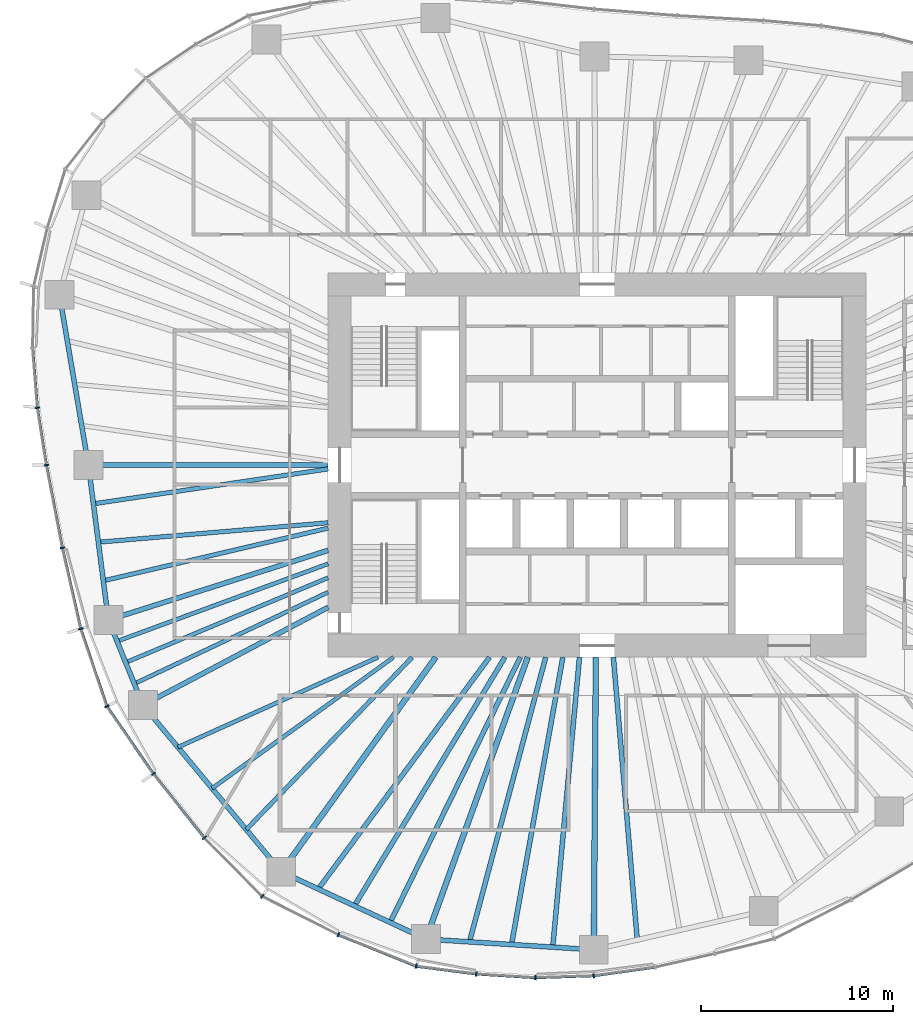
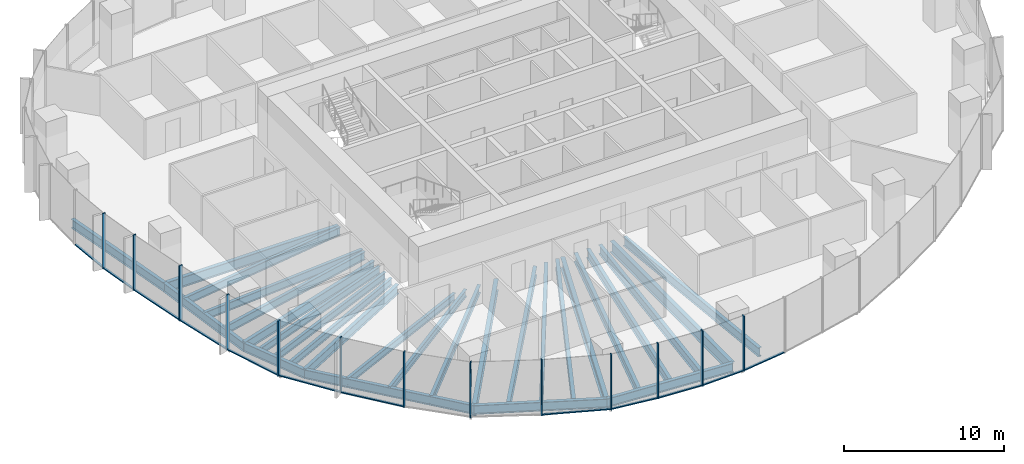
# One storey, part 2 of 18: 28 beams, 25 members, 7 elements without a shape of their own.
"""IFC4 building model written with IfcOpenShell, lengths in metres."""

from ifc_helpers import new_model, si_unit, direction, frame, origin, origin_2d, place, context, subcontext, project, spatial, rectangle, i_section, extrude, material, material_profile, profile_set, type_object, element, aggregate, save


model = new_model("IFC4")

# Units and contexts
model_context = context("Model", 3, precision=1e-05, world=origin(), true_north=direction((0.0, 1.0)))
body_context = subcontext(model_context, "Body", "Model", "MODEL_VIEW")
ifc_project = project(units=[si_unit("LENGTHUNIT", "METRE"), si_unit("AREAUNIT", "SQUARE_METRE"), si_unit("VOLUMEUNIT", "CUBIC_METRE"), si_unit("PLANEANGLEUNIT", "RADIAN"), si_unit("MASSUNIT", "GRAM", prefix="KILO")], contexts=[model_context])

# Site, building, storey
site_placement = place(None, origin())
site = spatial("IfcSite", under=ifc_project, at=site_placement, CompositionType="ELEMENT")
building_placement = place(site_placement, origin())
building = spatial("IfcBuilding", under=site, at=building_placement, Name="Ghaith Harvest Tower", CompositionType="ELEMENT")
storey_placement = place(building_placement, frame((0.0, 0.0, 113.39990234375)))
storey = spatial("IfcBuildingStorey", under=building, at=storey_placement, Name="L23", CompositionType="ELEMENT", Elevation=113.39990234375)

# Curtain wall, member
ifc_material_1 = material(Name="Black anodised aluminium and fritted glass", Category="aluminium")
curtain_wall_type = type_object("IfcCurtainWallType", Name="CW-L CURTAIN WALL", PredefinedType="NOTDEFINED", material=ifc_material_1)
curtain_wall_1_placement = place(storey_placement, origin())
curtain_wall_1 = element("IfcCurtainWall", 1, at=curtain_wall_1_placement, inside=storey, type_object=curtain_wall_type, Name="Curtain wall CW-L bay 10 L23", PredefinedType="NOTDEFINED")
ifc_material_2 = material(Name="Aluminium, black anodised", Category="aluminium")
ifc_material_profile_1 = material_profile(ifc_material_2, rectangle(XDim=0.080078125, YDim=0.239990234375, at=origin_2d()), Name="CW-L MULLION 80x240")
ifc_profile_set_1 = profile_set([ifc_material_profile_1], Name="Aluminium, black anodised")
member_type_1 = type_object("IfcMemberType", Name="CW-L MULLION 80x240", PredefinedType="MULLION", material=ifc_profile_set_1)
member_1_placement = place(storey_placement, frame((-29.131103515625, 2.990478515625, 0.0), z_axis=(0.0, 0.0, 1.0), x_axis=(0.116763791346, -0.993159713757, 0.0)))
member_1 = element("IfcMember", 2, at=member_1_placement, type_object=member_type_1, Name="CW-L mullion 3 bay 10 L23", PredefinedType="MULLION", context=body_context, shape_type="SweptSolid", body=[
    extrude(rectangle(XDim=0.080078125, YDim=0.239990234375, at=origin_2d()), origin(), (0.0, 0.0, 1.0), 4.2001953125),
])

# Curtain wall, members
curtain_wall_2_placement = place(storey_placement, origin())
curtain_wall_2 = element("IfcCurtainWall", 3, at=curtain_wall_2_placement, inside=storey, type_object=curtain_wall_type, Name="Curtain wall CW-L bay 11 L23", PredefinedType="NOTDEFINED")
member_2_placement = place(storey_placement, frame((-28.6611328125, 0.0, 0.0), z_axis=(0.0, 0.0, 1.0), x_axis=(0.175827209372, -0.984421044292, 0.0)))
member_2 = element("IfcMember", 4, at=member_2_placement, type_object=member_type_1, Name="CW-L mullion 1 bay 11 L23", PredefinedType="MULLION", context=body_context, shape_type="SweptSolid", body=[
    extrude(rectangle(XDim=0.080078125, YDim=0.239990234375, at=origin_2d()), origin(), (0.0, 0.0, 1.0), 4.2001953125),
])
member_3_placement = place(storey_placement, frame((-27.828125, -4.30419921875, 0.0), z_axis=(0.0, 0.0, 1.0), x_axis=(0.205176300018, -0.978725030798, 0.0)))
member_3 = element("IfcMember", 5, at=member_3_placement, type_object=member_type_1, Name="CW-L mullion 2 bay 11 L23", PredefinedType="MULLION", context=body_context, shape_type="SweptSolid", body=[
    extrude(rectangle(XDim=0.080078125, YDim=0.239990234375, at=origin_2d()), origin(), (0.0, 0.0, 1.0), 4.2001953125),
])

curtain_wall_3_placement = place(storey_placement, origin())
curtain_wall_3 = element("IfcCurtainWall", 6, at=curtain_wall_3_placement, inside=storey, type_object=curtain_wall_type, Name="Curtain wall CW-L bay 12 L23", PredefinedType="NOTDEFINED")
member_4_placement = place(storey_placement, frame((-26.875732421875, -8.517333984375, 0.0), z_axis=(0.0, 0.0, 1.0), x_axis=(0.270018818005, -0.962855045125, 0.0)))
member_4 = element("IfcMember", 7, at=member_4_placement, type_object=member_type_1, Name="CW-L mullion 1 bay 12 L23", PredefinedType="MULLION", context=body_context, shape_type="SweptSolid", body=[
    extrude(rectangle(XDim=0.080078125, YDim=0.239990234375, at=origin_2d()), origin(), (0.0, 0.0, 1.0), 4.2001953125),
])
member_5_placement = place(storey_placement, frame((-25.513427734375, -12.55810546875, 0.0), z_axis=(0.0, 0.0, 1.0), x_axis=(0.448267068681, -0.893899678452, 0.0)))
member_5 = element("IfcMember", 8, at=member_5_placement, type_object=member_type_1, Name="CW-L mullion 2 bay 12 L23", PredefinedType="MULLION", context=body_context, shape_type="SweptSolid", body=[
    extrude(rectangle(XDim=0.080078125, YDim=0.239990234375, at=origin_2d()), origin(), (0.0, 0.0, 1.0), 4.2001953125),
])

curtain_wall_4_placement = place(storey_placement, origin())
curtain_wall_4 = element("IfcCurtainWall", 9, at=curtain_wall_4_placement, inside=storey, type_object=curtain_wall_type, Name="Curtain wall CW-L bay 13 L23", PredefinedType="NOTDEFINED")
member_6_placement = place(storey_placement, frame((-23.090087890625, -16.066162109375, 0.0), z_axis=(0.0, 0.0, 1.0), x_axis=(0.595740202191, -0.803177198066, 0.0)))
member_6 = element("IfcMember", 10, at=member_6_placement, type_object=member_type_1, Name="CW-L mullion 1 bay 13 L23", PredefinedType="MULLION", context=body_context, shape_type="SweptSolid", body=[
    extrude(rectangle(XDim=0.080078125, YDim=0.239990234375, at=origin_2d()), origin(), (0.0, 0.0, 1.0), 4.2001953125),
])
member_7_placement = place(storey_placement, frame((-20.441162109375, -19.396728515625, 0.0), z_axis=(0.0, 0.0, 1.0), x_axis=(0.663764675537, -0.747941478666, 0.0)))
member_7 = element("IfcMember", 11, at=member_7_placement, type_object=member_type_1, Name="CW-L mullion 2 bay 13 L23", PredefinedType="MULLION", context=body_context, shape_type="SweptSolid", body=[
    extrude(rectangle(XDim=0.080078125, YDim=0.239990234375, at=origin_2d()), origin(), (0.0, 0.0, 1.0), 4.2001953125),
])

curtain_wall_5_placement = place(storey_placement, origin())
curtain_wall_5 = element("IfcCurtainWall", 12, at=curtain_wall_5_placement, inside=storey, type_object=curtain_wall_type, Name="Curtain wall CW-L bay 14 L23", PredefinedType="NOTDEFINED")
member_8_placement = place(storey_placement, frame((-17.430419921875, -22.443603515625, 0.0), z_axis=(0.0, 0.0, 1.0), x_axis=(0.810339399222, -0.585960799089, 0.0)))
member_8 = element("IfcMember", 13, at=member_8_placement, type_object=member_type_1, Name="CW-L mullion 1 bay 14 L23", PredefinedType="MULLION", context=body_context, shape_type="SweptSolid", body=[
    extrude(rectangle(XDim=0.080078125, YDim=0.239990234375, at=origin_2d()), origin(), (0.0, 0.0, 1.0), 4.2001953125),
])
member_9_placement = place(storey_placement, frame((-13.463134765625, -24.4423828125, 0.0), z_axis=(0.0, 0.0, 1.0), x_axis=(0.910648017946, -0.413182995066, 0.0)))
member_9 = element("IfcMember", 14, at=member_9_placement, type_object=member_type_1, Name="CW-L mullion 2 bay 14 L23", PredefinedType="MULLION", context=body_context, shape_type="SweptSolid", body=[
    extrude(rectangle(XDim=0.080078125, YDim=0.239990234375, at=origin_2d()), origin(), (0.0, 0.0, 1.0), 4.2001953125),
])

curtain_wall_6_placement = place(storey_placement, origin())
curtain_wall_6 = element("IfcCurtainWall", 15, at=curtain_wall_6_placement, inside=storey, type_object=curtain_wall_type, Name="Curtain wall CW-L bay 15 L23", PredefinedType="NOTDEFINED")
member_10_placement = place(storey_placement, frame((-9.4189453125, -26.07861328125, 0.0), z_axis=(0.0, 0.0, 1.0), x_axis=(0.961788606004, -0.273793128768, 0.0)))
member_10 = element("IfcMember", 16, at=member_10_placement, type_object=member_type_1, Name="CW-L mullion 1 bay 15 L23", PredefinedType="MULLION", context=body_context, shape_type="SweptSolid", body=[
    extrude(rectangle(XDim=0.080078125, YDim=0.239990234375, at=origin_2d()), origin(), (0.0, 0.0, 1.0), 4.2001953125),
])
member_11_placement = place(storey_placement, frame((-6.29443359375, -26.483154296875, 0.0), z_axis=(0.0, 0.0, 1.0), x_axis=(0.995389243171, -0.095917957546, 0.0)))
member_11 = element("IfcMember", 17, at=member_11_placement, type_object=member_type_1, Name="CW-L mullion 2 bay 15 L23", PredefinedType="MULLION", context=body_context, shape_type="SweptSolid", body=[
    extrude(rectangle(XDim=0.080078125, YDim=0.239990234375, at=origin_2d()), origin(), (0.0, 0.0, 1.0), 4.2001953125),
])
member_12_placement = place(storey_placement, frame((-3.21923828125, -26.676025390625, 0.0), z_axis=(0.0, 0.0, 1.0), x_axis=(0.999890531495, -0.014796115241, 0.0)))
member_12 = element("IfcMember", 18, at=member_12_placement, type_object=member_type_1, Name="CW-L mullion 3 bay 15 L23", PredefinedType="MULLION", context=body_context, shape_type="SweptSolid", body=[
    extrude(rectangle(XDim=0.080078125, YDim=0.239990234375, at=origin_2d()), origin(), (0.0, 0.0, 1.0), 4.2001953125),
])

# Curtain wall, member
curtain_wall_7_placement = place(storey_placement, origin())
curtain_wall_7 = element("IfcCurtainWall", 19, at=curtain_wall_7_placement, inside=storey, type_object=curtain_wall_type, Name="Curtain wall CW-L bay 16 L23", PredefinedType="NOTDEFINED")
member_13_placement = place(storey_placement, frame((-0.181884765625, -26.57373046875, 0.0), z_axis=(0.0, 0.0, 1.0), x_axis=(0.996169227662, 0.087446382772, 0.0)))
member_13 = element("IfcMember", 20, at=member_13_placement, type_object=member_type_1, Name="CW-L mullion 1 bay 16 L23", PredefinedType="MULLION", context=body_context, shape_type="SweptSolid", body=[
    extrude(rectangle(XDim=0.080078125, YDim=0.239990234375, at=origin_2d()), origin(), (0.0, 0.0, 1.0), 4.2001953125),
])

# Member
ifc_material_3 = material(Name="Aluminium, black anodised", Category="aluminium")
ifc_material_profile_2 = material_profile(ifc_material_3, rectangle(XDim=0.14990234375, YDim=0.080078125, at=origin_2d()), Name="CW-L TRANSOM 150x80")
ifc_profile_set_2 = profile_set([ifc_material_profile_2], Name="Aluminium, black anodised")
member_type_2 = type_object("IfcMemberType", Name="CW-L TRANSOM 150x80", PredefinedType="USERDEFINED", material=ifc_profile_set_2)
member_14_placement = place(storey_placement, frame((-29.374755859375, 6.05615234375, 0.0400390625), z_axis=(0.079230491279, -0.996856323274, 0.0), x_axis=(0.996856323274, 0.079230491279, 0.0)))
member_14 = element("IfcMember", 21, at=member_14_placement, type_object=member_type_2, Name="CW-L transom 2 bay 10 L23", ObjectType="TRANSOM", PredefinedType="USERDEFINED", context=body_context, shape_type="SweptSolid", body=[
    extrude(rectangle(XDim=0.14990234375, YDim=0.080078125, at=origin_2d()), origin(), (0.0, 0.0, 1.0), 3.03515625),
])

member_15_placement = place(storey_placement, frame((-29.124755859375, 2.951171875, 0.0400390625), z_axis=(0.155150065502, -0.987890913601, 0.0), x_axis=(0.987890913601, 0.155150065502, 0.0)))
member_15 = element("IfcMember", 22, at=member_15_placement, type_object=member_type_2, Name="CW-L transom 3 bay 10 L23", ObjectType="TRANSOM", PredefinedType="USERDEFINED", context=body_context, shape_type="SweptSolid", body=[
    extrude(rectangle(XDim=0.14990234375, YDim=0.080078125, at=origin_2d()), origin(), (0.0, 0.0, 1.0), 2.947265625),
])

aggregate(curtain_wall_1, [member_14, member_1, member_15])

member_16_placement = place(storey_placement, frame((-28.653564453125, -0.039306640625, 0.0400390625), z_axis=(0.190025434036, -0.981779167848, 0.0), x_axis=(0.981779167848, 0.190025434036, 0.0)))
member_16 = element("IfcMember", 23, at=member_16_placement, type_object=member_type_2, Name="CW-L transom 1 bay 11 L23", ObjectType="TRANSOM", PredefinedType="USERDEFINED", context=body_context, shape_type="SweptSolid", body=[
    extrude(rectangle(XDim=0.14990234375, YDim=0.080078125, at=origin_2d()), origin(), (0.0, 0.0, 1.0), 4.303955078125),
])

member_17_placement = place(storey_placement, frame((-27.8193359375, -4.34326171875, 0.0400390625), z_axis=(0.220508326041, -0.975385092231, 0.0), x_axis=(0.975385092231, 0.220508326041, 0.0)))
member_17 = element("IfcMember", 24, at=member_17_placement, type_object=member_type_2, Name="CW-L transom 2 bay 11 L23", ObjectType="TRANSOM", PredefinedType="USERDEFINED", context=body_context, shape_type="SweptSolid", body=[
    extrude(rectangle(XDim=0.14990234375, YDim=0.080078125, at=origin_2d()), origin(), (0.0, 0.0, 1.0), 4.2392578125),
])

aggregate(curtain_wall_2, [member_2, member_16, member_3, member_17])

member_18_placement = place(storey_placement, frame((-26.863037109375, -8.55517578125, 0.0400390625), z_axis=(0.319499057133, -0.947586593664, 0.0), x_axis=(0.947586593664, 0.319499057133, 0.0)))
member_18 = element("IfcMember", 25, at=member_18_placement, type_object=member_type_2, Name="CW-L transom 1 bay 12 L23", ObjectType="TRANSOM", PredefinedType="USERDEFINED", context=body_context, shape_type="SweptSolid", body=[
    extrude(rectangle(XDim=0.14990234375, YDim=0.080078125, at=origin_2d()), origin(), (0.0, 0.0, 1.0), 4.184326171875),
])

member_19_placement = place(storey_placement, frame((-25.49072265625, -12.591064453125, 0.0400390625), z_axis=(0.568360052499, -0.822779952796, 0.0), x_axis=(0.822779952796, 0.568360052499, 0.0)))
member_19 = element("IfcMember", 26, at=member_19_placement, type_object=member_type_2, Name="CW-L transom 2 bay 12 L23", ObjectType="TRANSOM", PredefinedType="USERDEFINED", context=body_context, shape_type="SweptSolid", body=[
    extrude(rectangle(XDim=0.14990234375, YDim=0.080078125, at=origin_2d()), origin(), (0.0, 0.0, 1.0), 4.183837890625),
])

aggregate(curtain_wall_3, [member_4, member_18, member_5, member_19])

member_20_placement = place(storey_placement, frame((-23.065185546875, -16.09765625, 0.0400390625), z_axis=(0.622510542814, -0.782611413209, 0.0), x_axis=(0.782611413209, 0.622510542814, 0.0)))
member_20 = element("IfcMember", 27, at=member_20_placement, type_object=member_type_2, Name="CW-L transom 1 bay 13 L23", ObjectType="TRANSOM", PredefinedType="USERDEFINED", context=body_context, shape_type="SweptSolid", body=[
    extrude(rectangle(XDim=0.14990234375, YDim=0.080078125, at=origin_2d()), origin(), (0.0, 0.0, 1.0), 4.17529296875),
])

aggregate(curtain_wall_4, [member_6, member_20, member_7])

member_21_placement = place(storey_placement, frame((-13.426025390625, -24.45751953125, 0.0400390625), z_axis=(0.92700297754, -0.375053968959, 0.0), x_axis=(0.375053968959, 0.92700297754, 0.0)))
member_21 = element("IfcMember", 28, at=member_21_placement, type_object=member_type_2, Name="CW-L transom 2 bay 14 L23", ObjectType="TRANSOM", PredefinedType="USERDEFINED", context=body_context, shape_type="SweptSolid", body=[
    extrude(rectangle(XDim=0.14990234375, YDim=0.080078125, at=origin_2d()), origin(), (0.0, 0.0, 1.0), 4.282470703125),
])

aggregate(curtain_wall_5, [member_8, member_9, member_21])

member_22_placement = place(storey_placement, frame((-9.37939453125, -26.083740234375, 0.0400390625), z_axis=(0.991722765635, -0.128397648429, 0.0), x_axis=(0.128397648429, 0.991722765635, 0.0)))
member_22 = element("IfcMember", 29, at=member_22_placement, type_object=member_type_2, Name="CW-L transom 1 bay 15 L23", ObjectType="TRANSOM", PredefinedType="USERDEFINED", context=body_context, shape_type="SweptSolid", body=[
    extrude(rectangle(XDim=0.14990234375, YDim=0.080078125, at=origin_2d()), origin(), (0.0, 0.0, 1.0), 3.07080078125),
])

member_23_placement = place(storey_placement, frame((-6.25439453125, -26.485595703125, 0.0400390625), z_axis=(0.998036402434, -0.062636566132, 0.0), x_axis=(0.062636566132, 0.998036402434, 0.0)))
member_23 = element("IfcMember", 30, at=member_23_placement, type_object=member_type_2, Name="CW-L transom 2 bay 15 L23", ObjectType="TRANSOM", PredefinedType="USERDEFINED", context=body_context, shape_type="SweptSolid", body=[
    extrude(rectangle(XDim=0.14990234375, YDim=0.080078125, at=origin_2d()), origin(), (0.0, 0.0, 1.0), 3.001220703125),
])

member_24_placement = place(storey_placement, frame((-3.17919921875, -26.6748046875, 0.0400390625), z_axis=(0.999430436664, 0.033746144522, 0.0), x_axis=(-0.033746144522, 0.999430436664, 0.0)))
member_24 = element("IfcMember", 31, at=member_24_placement, type_object=member_type_2, Name="CW-L transom 3 bay 15 L23", ObjectType="TRANSOM", PredefinedType="USERDEFINED", context=body_context, shape_type="SweptSolid", body=[
    extrude(rectangle(XDim=0.14990234375, YDim=0.080078125, at=origin_2d()), origin(), (0.0, 0.0, 1.0), 2.958984375),
])

aggregate(curtain_wall_6, [member_10, member_22, member_11, member_23, member_12, member_24])

member_25_placement = place(storey_placement, frame((-0.142333984375, -26.568115234375, 0.0400390625), z_axis=(0.990446640965, 0.137896524254, 0.0), x_axis=(-0.137896524254, 0.990446640965, 0.0)))
member_25 = element("IfcMember", 32, at=member_25_placement, type_object=member_type_2, Name="CW-L transom 1 bay 16 L23", ObjectType="TRANSOM", PredefinedType="USERDEFINED", context=body_context, shape_type="SweptSolid", body=[
    extrude(rectangle(XDim=0.14990234375, YDim=0.080078125, at=origin_2d()), origin(), (0.0, 0.0, 1.0), 3.142578125),
])

aggregate(curtain_wall_7, [member_13, member_25])

# Beams
ifc_material_4 = material(Name="Steel ASTM A992 Grade 50", Category="steel")
ifc_material_profile_3 = material_profile(ifc_material_4, i_section(OverallWidth=0.25390625, OverallDepth=0.68408203125, WebThickness=0.012451171875, FlangeThickness=0.018798828125, at=origin_2d()), Name="W690X140")
ifc_profile_set_3 = profile_set([ifc_material_profile_3], Name="Steel ASTM A992 Grade 50")
beam_type_1 = type_object("IfcBeamType", Name="E690-140 W690X140", PredefinedType="SPANDREL", material=ifc_profile_set_3)
beam_1_placement = place(storey_placement, frame((-27.98291015625, 8.867919921875, -0.511962890625), z_axis=(0.167624246844, -0.985850958244, 0.0), x_axis=(0.985850958244, 0.167624246844, 0.0)))
element("IfcBeam", 33, at=beam_1_placement, inside=storey, type_object=beam_type_1, Name="Edge beam E10 L23", PredefinedType="SPANDREL", context=body_context, shape_type="SweptSolid", body=[
    extrude(i_section(OverallWidth=0.25390625, OverallDepth=0.68408203125, WebThickness=0.012451171875, FlangeThickness=0.018798828125, at=origin_2d()), origin(), (0.0, 0.0, 1.0), 8.9951171875),
])
beam_2_placement = place(storey_placement, frame((-26.47509765625, 0.0, -0.511962890625), z_axis=(0.127841715048, -0.991794583517, 0.0), x_axis=(0.991794583517, 0.127841715048, 0.0)))
element("IfcBeam", 34, at=beam_2_placement, inside=storey, type_object=beam_type_1, Name="Edge beam E11 L23", PredefinedType="SPANDREL", context=body_context, shape_type="SweptSolid", body=[
    extrude(i_section(OverallWidth=0.25390625, OverallDepth=0.68408203125, WebThickness=0.012451171875, FlangeThickness=0.018798828125, at=origin_2d()), origin(), (0.0, 0.0, 1.0), 8.127685546875),
])
beam_3_placement = place(storey_placement, frame((-25.43603515625, -8.06103515625, -0.511962890625), z_axis=(0.376479712052, -0.9264248628, 0.0), x_axis=(0.9264248628, 0.376479712052, 0.0)))
element("IfcBeam", 35, at=beam_3_placement, inside=storey, type_object=beam_type_1, Name="Edge beam E12 L23", PredefinedType="SPANDREL", context=body_context, shape_type="SweptSolid", body=[
    extrude(i_section(OverallWidth=0.25390625, OverallDepth=0.68408203125, WebThickness=0.012451171875, FlangeThickness=0.018798828125, at=origin_2d()), origin(), (0.0, 0.0, 1.0), 4.783935546875),
])
beam_4_placement = place(storey_placement, frame((-23.635009765625, -12.492919921875, -0.511962890625), z_axis=(0.638719320052, -0.769439815835, 0.0), x_axis=(0.769439815835, 0.638719320052, 0.0)))
element("IfcBeam", 36, at=beam_4_placement, inside=storey, type_object=beam_type_1, Name="Edge beam E13 L23", PredefinedType="SPANDREL", context=body_context, shape_type="SweptSolid", body=[
    extrude(i_section(OverallWidth=0.25390625, OverallDepth=0.68408203125, WebThickness=0.012451171875, FlangeThickness=0.018798828125, at=origin_2d()), origin(), (0.0, 0.0, 1.0), 11.26953125),
])
beam_5_placement = place(storey_placement, frame((-16.43701171875, -21.1640625, -0.511962890625), z_axis=(0.906607079462, -0.421975832802, 0.0), x_axis=(0.421975832802, 0.906607079462, 0.0)))
element("IfcBeam", 37, at=beam_5_placement, inside=storey, type_object=beam_type_1, Name="Edge beam E14 L23", PredefinedType="SPANDREL", context=body_context, shape_type="SweptSolid", body=[
    extrude(i_section(OverallWidth=0.25390625, OverallDepth=0.68408203125, WebThickness=0.012451171875, FlangeThickness=0.018798828125, at=origin_2d()), origin(), (0.0, 0.0, 1.0), 8.303466796875),
])
beam_6_placement = place(storey_placement, frame((-8.908935546875, -24.66796875, -0.511962890625), z_axis=(0.99797963184, -0.063534671101, 0.0), x_axis=(0.063534671101, 0.99797963184, 0.0)))
element("IfcBeam", 38, at=beam_6_placement, inside=storey, type_object=beam_type_1, Name="Edge beam E15 L23", PredefinedType="SPANDREL", context=body_context, shape_type="SweptSolid", body=[
    extrude(i_section(OverallWidth=0.25390625, OverallDepth=0.68408203125, WebThickness=0.012451171875, FlangeThickness=0.018798828125, at=origin_2d()), origin(), (0.0, 0.0, 1.0), 8.75341796875),
])
ifc_material_5 = material(Name="Steel ASTM A992 Grade 50", Category="steel")
ifc_material_profile_4 = material_profile(ifc_material_5, i_section(OverallWidth=0.256103515625, OverallDepth=0.693115234375, WebThickness=0.014404296875, FlangeThickness=0.023681640625, at=origin_2d()), Name="W690X170")
ifc_profile_set_4 = profile_set([ifc_material_profile_4], Name="Steel ASTM A992 Grade 50")
beam_type_2 = type_object("IfcBeamType", Name="G690-170 W690X170", PredefinedType="BEAM", material=ifc_profile_set_4)
beam_7_placement = place(storey_placement, frame((-14.0, -4.43701171875, -0.516357421875), z_axis=(-0.953279533519, -0.302089607522, 0.0), x_axis=(0.302089607522, -0.953279533519, 0.0)))
element("IfcBeam", 39, at=beam_7_placement, inside=storey, type_object=beam_type_2, Name="Radial girder G12 L23", PredefinedType="BEAM", context=body_context, shape_type="SweptSolid", body=[
    extrude(i_section(OverallWidth=0.256103515625, OverallDepth=0.693115234375, WebThickness=0.014404296875, FlangeThickness=0.023681640625, at=origin_2d()), origin(), (0.0, 0.0, 1.0), 11.99658203125),
])
beam_8_placement = place(storey_placement, frame((-14.0, -7.39990234375, -0.516357421875), z_axis=(-0.884086346066, -0.467323584576, 0.0), x_axis=(0.467323584576, -0.884086346066, 0.0)))
element("IfcBeam", 40, at=beam_8_placement, inside=storey, type_object=beam_type_2, Name="Radial girder G13 L23", PredefinedType="BEAM", context=body_context, shape_type="SweptSolid", body=[
    extrude(i_section(OverallWidth=0.256103515625, OverallDepth=0.693115234375, WebThickness=0.014404296875, FlangeThickness=0.023681640625, at=origin_2d()), origin(), (0.0, 0.0, 1.0), 10.898193359375),
])
ifc_material_6 = material(Name="Steel ASTM A992 Grade 50", Category="steel")
ifc_material_profile_5 = material_profile(ifc_material_6, i_section(OverallWidth=0.26806640625, OverallDepth=0.77001953125, WebThickness=0.015625, FlangeThickness=0.025390625, at=origin_2d()), Name="W760X196")
ifc_profile_set_5 = profile_set([ifc_material_profile_5], Name="Steel ASTM A992 Grade 50")
beam_type_3 = type_object("IfcBeamType", Name="G760-196 W760X196", PredefinedType="BEAM", material=ifc_profile_set_5)
beam_9_placement = place(storey_placement, frame((-14.0, 0.0, -0.554931640625), z_axis=(-1.0, 0.0, 0.0), x_axis=(0.0, -1.0, 0.0)))
element("IfcBeam", 41, at=beam_9_placement, inside=storey, type_object=beam_type_3, Name="Radial girder G11 L23", PredefinedType="BEAM", context=body_context, shape_type="SweptSolid", body=[
    extrude(i_section(OverallWidth=0.26806640625, OverallDepth=0.77001953125, WebThickness=0.015625, FlangeThickness=0.025390625, at=origin_2d()), origin(), (0.0, 0.0, 1.0), 12.47509765625),
])
ifc_material_7 = material(Name="Steel ASTM A992 Grade 50", Category="steel")
ifc_material_profile_6 = material_profile(ifc_material_7, i_section(OverallWidth=0.2939453125, OverallDepth=0.85107421875, WebThickness=0.01611328125, FlangeThickness=0.02685546875, at=origin_2d()), Name="W840X226")
ifc_profile_set_6 = profile_set([ifc_material_profile_6], Name="Steel ASTM A992 Grade 50")
beam_type_4 = type_object("IfcBeamType", Name="G840-226 W840X226", PredefinedType="BEAM", material=ifc_profile_set_6)
beam_10_placement = place(storey_placement, frame((-8.39990234375, -10.0, -0.595458984375), z_axis=(-0.584256100809, -0.811569349265, 0.0), x_axis=(0.811569349265, -0.584256100809, 0.0)))
element("IfcBeam", 42, at=beam_10_placement, inside=storey, type_object=beam_type_4, Name="Radial girder G14 L23", PredefinedType="BEAM", context=body_context, shape_type="SweptSolid", body=[
    extrude(i_section(OverallWidth=0.2939453125, OverallDepth=0.85107421875, WebThickness=0.01611328125, FlangeThickness=0.02685546875, at=origin_2d()), origin(), (0.0, 0.0, 1.0), 13.756103515625),
])
beam_11_placement = place(storey_placement, frame((-3.61181640625, -10.0, -0.595458984375), z_axis=(-0.339664467784, -0.940546675782, 0.0), x_axis=(0.940546675782, -0.339664467784, 0.0)))
element("IfcBeam", 43, at=beam_11_placement, inside=storey, type_object=beam_type_4, Name="Radial girder G15 L23", PredefinedType="BEAM", context=body_context, shape_type="SweptSolid", body=[
    extrude(i_section(OverallWidth=0.2939453125, OverallDepth=0.85107421875, WebThickness=0.01611328125, FlangeThickness=0.02685546875, at=origin_2d()), origin(), (0.0, 0.0, 1.0), 15.59521484375),
])
beam_12_placement = place(storey_placement, frame((-0.068359375, -10.0, -0.595458984375), z_axis=(-0.006879467722, -0.999976336182, 0.0), x_axis=(0.999976336182, -0.006879467722, 0.0)))
element("IfcBeam", 44, at=beam_12_placement, inside=storey, type_object=beam_type_4, Name="Radial girder G16 L23", PredefinedType="BEAM", context=body_context, shape_type="SweptSolid", body=[
    extrude(i_section(OverallWidth=0.2939453125, OverallDepth=0.85107421875, WebThickness=0.01611328125, FlangeThickness=0.02685546875, at=origin_2d()), origin(), (0.0, 0.0, 1.0), 15.224365234375),
])
ifc_material_8 = material(Name="Steel ASTM A992 Grade 50", Category="steel")
ifc_material_profile_7 = material_profile(ifc_material_8, i_section(OverallWidth=0.2109375, OverallDepth=0.5390625, WebThickness=0.01171875, FlangeThickness=0.018798828125, at=origin_2d()), Name="W530X109")
ifc_profile_set_7 = profile_set([ifc_material_profile_7], Name="Steel ASTM A992 Grade 50")
beam_type_5 = type_object("IfcBeamType", Name="J530-109 W530X109", PredefinedType="JOIST", material=ifc_profile_set_7)
beam_13_placement = place(storey_placement, frame((-14.0, -5.137939453125, -0.439453125), z_axis=(-0.938774452531, -0.344532331247, 0.0), x_axis=(0.344532331247, -0.938774452531, 0.0)))
element("IfcBeam", 45, at=beam_13_placement, inside=storey, type_object=beam_type_5, Name="Joist J12.1 L23", PredefinedType="JOIST", context=body_context, shape_type="SweptSolid", body=[
    extrude(i_section(OverallWidth=0.2109375, OverallDepth=0.5390625, WebThickness=0.01171875, FlangeThickness=0.018798828125, at=origin_2d()), origin(), (0.0, 0.0, 1.0), 11.7021484375),
])
beam_14_placement = place(storey_placement, frame((-14.0, -5.862548828125, -0.439453125), z_axis=(-0.922385564947, -0.386270461693, 0.0), x_axis=(0.386270461693, -0.922385564947, 0.0)))
element("IfcBeam", 46, at=beam_14_placement, inside=storey, type_object=beam_type_5, Name="Joist J12.2 L23", PredefinedType="JOIST", context=body_context, shape_type="SweptSolid", body=[
    extrude(i_section(OverallWidth=0.2109375, OverallDepth=0.5390625, WebThickness=0.01171875, FlangeThickness=0.018798828125, at=origin_2d()), origin(), (0.0, 0.0, 1.0), 11.4228515625),
])
beam_15_placement = place(storey_placement, frame((-14.0, -6.614990234375, -0.439453125), z_axis=(-0.904150042111, -0.427215052815, 0.0), x_axis=(0.427215052815, -0.904150042111, 0.0)))
element("IfcBeam", 47, at=beam_15_placement, inside=storey, type_object=beam_type_5, Name="Joist J12.3 L23", PredefinedType="JOIST", context=body_context, shape_type="SweptSolid", body=[
    extrude(i_section(OverallWidth=0.2109375, OverallDepth=0.5390625, WebThickness=0.01171875, FlangeThickness=0.018798828125, at=origin_2d()), origin(), (0.0, 0.0, 1.0), 11.15625),
])
beam_16_placement = place(storey_placement, frame((-11.39990234375, -10.0, -0.439453125), z_axis=(-0.912147734774, -0.409861574127, 0.0), x_axis=(0.409861574127, -0.912147734774, 0.0)))
element("IfcBeam", 48, at=beam_16_placement, inside=storey, type_object=beam_type_5, Name="Joist J13.1 L23", PredefinedType="JOIST", context=body_context, shape_type="SweptSolid", body=[
    extrude(i_section(OverallWidth=0.2109375, OverallDepth=0.5390625, WebThickness=0.01171875, FlangeThickness=0.018798828125, at=origin_2d()), origin(), (0.0, 0.0, 1.0), 11.421875),
])
beam_17_placement = place(storey_placement, frame((-10.60009765625, -10.0, -0.439453125), z_axis=(-0.810452010932, -0.5858050341, 0.0), x_axis=(0.5858050341, -0.810452010932, 0.0)))
element("IfcBeam", 49, at=beam_17_placement, inside=storey, type_object=beam_type_5, Name="Joist J13.2 L23", PredefinedType="JOIST", context=body_context, shape_type="SweptSolid", body=[
    extrude(i_section(OverallWidth=0.2109375, OverallDepth=0.5390625, WebThickness=0.01171875, FlangeThickness=0.018798828125, at=origin_2d()), origin(), (0.0, 0.0, 1.0), 11.64794921875),
])
ifc_material_9 = material(Name="Steel ASTM A992 Grade 50", Category="steel")
ifc_material_profile_8 = material_profile(ifc_material_9, i_section(OverallWidth=0.22900390625, OverallDepth=0.612060546875, WebThickness=0.011962890625, FlangeThickness=0.01953125, at=origin_2d()), Name="W610X125")
ifc_profile_set_8 = profile_set([ifc_material_profile_8], Name="Steel ASTM A992 Grade 50")
beam_type_6 = type_object("IfcBeamType", Name="J610-125 W610X125", PredefinedType="JOIST", material=ifc_profile_set_8)
beam_18_placement = place(storey_placement, frame((-14.0, -0.199951171875, -0.475830078125), z_axis=(-0.989135422742, -0.147007195321, 0.0), x_axis=(0.147007195321, -0.989135422742, 0.0)))
element("IfcBeam", 50, at=beam_18_placement, inside=storey, type_object=beam_type_6, Name="Joist J11.1 L23", PredefinedType="JOIST", context=body_context, shape_type="SweptSolid", body=[
    extrude(i_section(OverallWidth=0.22900390625, OverallDepth=0.612060546875, WebThickness=0.011962890625, FlangeThickness=0.01953125, at=origin_2d()), origin(), (0.0, 0.0, 1.0), 12.349365234375),
])
beam_19_placement = place(storey_placement, frame((-14.0, -3.0, -0.475830078125), z_axis=(-0.996417474722, -0.0845707755, 0.0), x_axis=(0.0845707755, -0.996417474722, 0.0)))
element("IfcBeam", 51, at=beam_19_placement, inside=storey, type_object=beam_type_6, Name="Joist J11.2 L23", PredefinedType="JOIST", context=body_context, shape_type="SweptSolid", body=[
    extrude(i_section(OverallWidth=0.22900390625, OverallDepth=0.612060546875, WebThickness=0.011962890625, FlangeThickness=0.01953125, at=origin_2d()), origin(), (0.0, 0.0, 1.0), 12.00048828125),
])
beam_20_placement = place(storey_placement, frame((-14.0, -3.280517578125, -0.475830078125), z_axis=(-0.973624350862, -0.228157014813, 0.0), x_axis=(0.228157014813, -0.973624350862, 0.0)))
element("IfcBeam", 52, at=beam_20_placement, inside=storey, type_object=beam_type_6, Name="Joist J11.3 L23", PredefinedType="JOIST", context=body_context, shape_type="SweptSolid", body=[
    extrude(i_section(OverallWidth=0.22900390625, OverallDepth=0.612060546875, WebThickness=0.011962890625, FlangeThickness=0.01953125, at=origin_2d()), origin(), (0.0, 0.0, 1.0), 12.015625),
])
beam_21_placement = place(storey_placement, frame((-9.626708984375, -10.0, -0.475830078125), z_axis=(-0.693534641621, -0.720423278963, 0.0), x_axis=(0.720423278963, -0.693534641621, 0.0)))
element("IfcBeam", 53, at=beam_21_placement, inside=storey, type_object=beam_type_6, Name="Joist J13.3 L23", PredefinedType="JOIST", context=body_context, shape_type="SweptSolid", body=[
    extrude(i_section(OverallWidth=0.22900390625, OverallDepth=0.612060546875, WebThickness=0.011962890625, FlangeThickness=0.01953125, at=origin_2d()), origin(), (0.0, 0.0, 1.0), 12.4482421875),
])
ifc_material_10 = material(Name="Steel ASTM A992 Grade 50", Category="steel")
ifc_material_profile_9 = material_profile(ifc_material_10, i_section(OverallWidth=0.25390625, OverallDepth=0.68408203125, WebThickness=0.012451171875, FlangeThickness=0.018798828125, at=origin_2d()), Name="W690X140")
ifc_profile_set_9 = profile_set([ifc_material_profile_9], Name="Steel ASTM A992 Grade 50")
beam_type_7 = type_object("IfcBeamType", Name="J690-140 W690X140", PredefinedType="JOIST", material=ifc_profile_set_9)
beam_22_placement = place(storey_placement, frame((-5.60009765625, -10.0, -0.511962890625), z_axis=(-0.59434024765, -0.804213696739, 0.0), x_axis=(0.804213696739, -0.59434024765, 0.0)))
element("IfcBeam", 54, at=beam_22_placement, inside=storey, type_object=beam_type_7, Name="Joist J14.1 L23", PredefinedType="JOIST", context=body_context, shape_type="SweptSolid", body=[
    extrude(i_section(OverallWidth=0.25390625, OverallDepth=0.68408203125, WebThickness=0.012451171875, FlangeThickness=0.018798828125, at=origin_2d()), origin(), (0.0, 0.0, 1.0), 14.995849609375),
])
beam_23_placement = place(storey_placement, frame((-4.800048828125, -10.0, -0.511962890625), z_axis=(-0.517986442874, -0.855388826791, 0.0), x_axis=(0.855388826791, -0.517986442874, 0.0)))
element("IfcBeam", 55, at=beam_23_placement, inside=storey, type_object=beam_type_7, Name="Joist J14.2 L23", PredefinedType="JOIST", context=body_context, shape_type="SweptSolid", body=[
    extrude(i_section(OverallWidth=0.25390625, OverallDepth=0.68408203125, WebThickness=0.012451171875, FlangeThickness=0.018798828125, at=origin_2d()), origin(), (0.0, 0.0, 1.0), 15.12158203125),
])
beam_24_placement = place(storey_placement, frame((-4.0, -10.0, -0.511962890625), z_axis=(-0.440562898219, -0.897721745706, 0.0), x_axis=(0.897721745706, -0.440562898219, 0.0)))
element("IfcBeam", 56, at=beam_24_placement, inside=storey, type_object=beam_type_7, Name="Joist J14.3 L23", PredefinedType="JOIST", context=body_context, shape_type="SweptSolid", body=[
    extrude(i_section(OverallWidth=0.25390625, OverallDepth=0.68408203125, WebThickness=0.012451171875, FlangeThickness=0.018798828125, at=origin_2d()), origin(), (0.0, 0.0, 1.0), 15.372802734375),
])
beam_25_placement = place(storey_placement, frame((-2.677978515625, -10.0, -0.511962890625), z_axis=(-0.258693109612, -0.965959561803, 0.0), x_axis=(0.965959561803, -0.258693109612, 0.0)))
element("IfcBeam", 57, at=beam_25_placement, inside=storey, type_object=beam_type_7, Name="Joist J15.1 L23", PredefinedType="JOIST", context=body_context, shape_type="SweptSolid", body=[
    extrude(i_section(OverallWidth=0.25390625, OverallDepth=0.68408203125, WebThickness=0.012451171875, FlangeThickness=0.018798828125, at=origin_2d()), origin(), (0.0, 0.0, 1.0), 15.333984375),
])
beam_26_placement = place(storey_placement, frame((-1.785888671875, -10.0, -0.511962890625), z_axis=(-0.175792307544, -0.984427277461, 0.0), x_axis=(0.984427277461, -0.175792307544, 0.0)))
element("IfcBeam", 58, at=beam_26_placement, inside=storey, type_object=beam_type_7, Name="Joist J15.2 L23", PredefinedType="JOIST", context=body_context, shape_type="SweptSolid", body=[
    extrude(i_section(OverallWidth=0.25390625, OverallDepth=0.68408203125, WebThickness=0.012451171875, FlangeThickness=0.018798828125, at=origin_2d()), origin(), (0.0, 0.0, 1.0), 15.18798828125),
])
beam_27_placement = place(storey_placement, frame((-0.92041015625, -10.0, -0.511962890625), z_axis=(-0.091651457116, -0.995791147987, 0.0), x_axis=(0.995791147987, -0.091651457116, 0.0)))
element("IfcBeam", 59, at=beam_27_placement, inside=storey, type_object=beam_type_7, Name="Joist J15.3 L23", PredefinedType="JOIST", context=body_context, shape_type="SweptSolid", body=[
    extrude(i_section(OverallWidth=0.25390625, OverallDepth=0.68408203125, WebThickness=0.012451171875, FlangeThickness=0.018798828125, at=origin_2d()), origin(), (0.0, 0.0, 1.0), 15.151611328125),
])
beam_28_placement = place(storey_placement, frame((0.844970703125, -10.0, -0.511962890625), z_axis=(0.084208979751, -0.996448115924, 0.0), x_axis=(0.996448115924, 0.084208979751, 0.0)))
element("IfcBeam", 60, at=beam_28_placement, inside=storey, type_object=beam_type_7, Name="Joist J16.1 L23", PredefinedType="JOIST", context=body_context, shape_type="SweptSolid", body=[
    extrude(i_section(OverallWidth=0.25390625, OverallDepth=0.68408203125, WebThickness=0.012451171875, FlangeThickness=0.018798828125, at=origin_2d()), origin(), (0.0, 0.0, 1.0), 14.760009765625),
])

save(model, "model.ifc")
